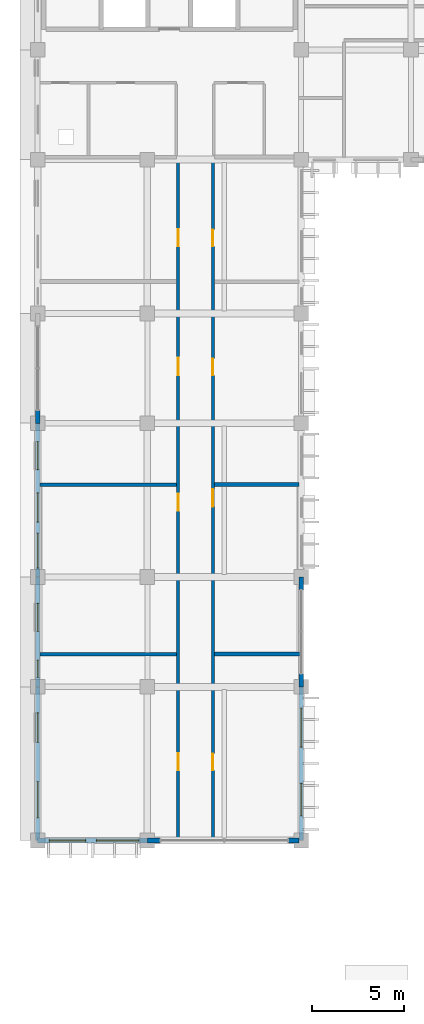
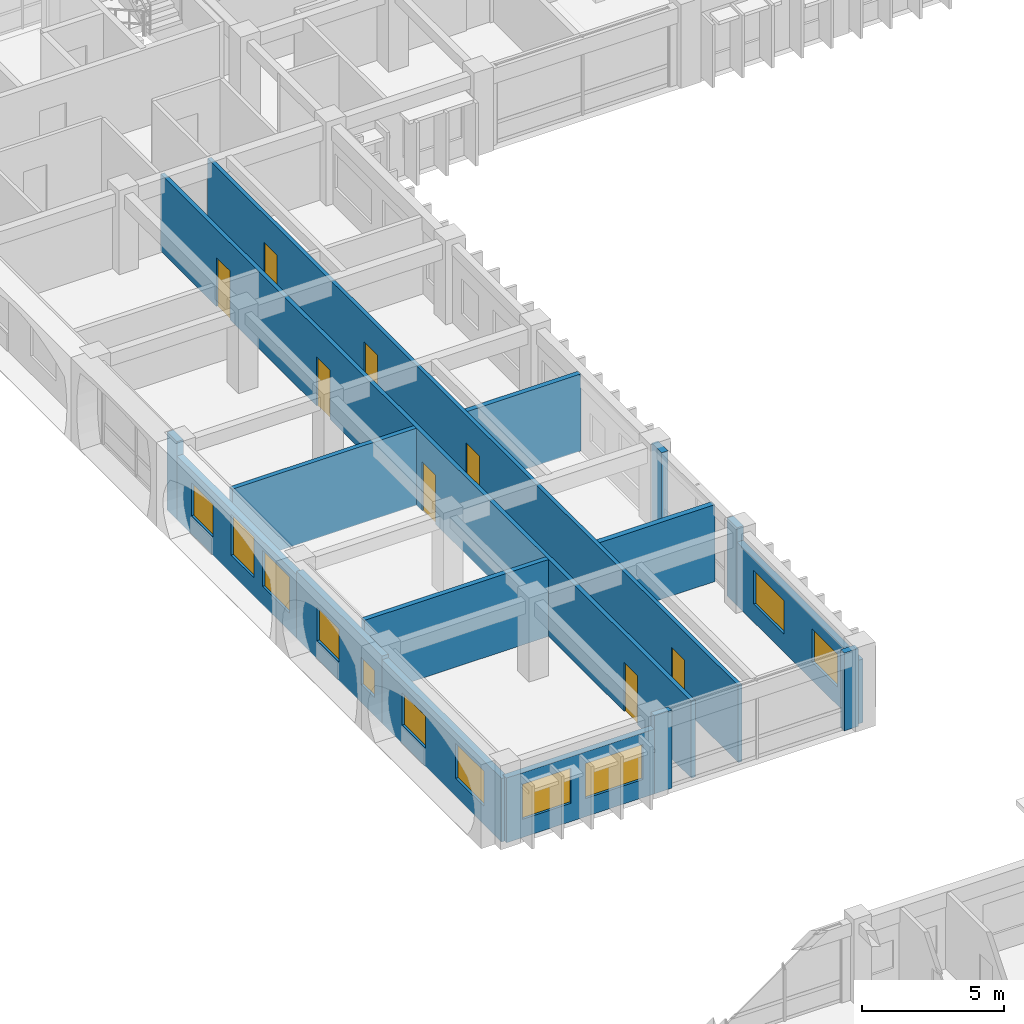
# One storey, part 54 of 88: 16 walls, 11 windows, 8 doors, 19 openings.
"""IFC4 building model written with IfcOpenShell, lengths in metres."""

import ifcopenshell
import ifcopenshell.guid

model = None  # the IFC model being written
_history = None  # IfcOwnerHistory: only IFC2X3 demands one
_inside = {}  # id of a spatial element -> (the spatial element, [elements in it])
_under = {}  # id of a project, library or spatial element -> (it, [spatial elements below it])
_declared = {}  # id of a project -> (the project, [libraries it declares])
_typed = {}  # id of a type object -> (the type object, [elements of that type])
_made_of = {}  # id of a material, layer set ... -> (it, [elements and type objects made of it])


def new_model(schema):
    """Start an empty IFC model of exactly this schema.

    Asked for "IFC4X3", IfcOpenShell would pick the latest addendum, in which some entities
    have other attributes; the version numbers below select the first issue.
    IFC2X3 requires an IfcOwnerHistory on every rooted entity: one is made here for all.
    """
    global model, _history
    if schema == "IFC4X3":
        model = ifcopenshell.file(schema_version=(4, 3, 0, 0))
    else:
        model = ifcopenshell.file(schema=schema)
    _inside.clear()
    _under.clear()
    _declared.clear()
    _typed.clear()
    _made_of.clear()
    _history = None
    if model.schema == "IFC2X3":
        org = make("IfcOrganization", Name="unknown")
        user = make(
            "IfcPersonAndOrganization",
            ThePerson=make("IfcPerson", FamilyName="unknown"),
            TheOrganization=org,
        )
        app = make(
            "IfcApplication",
            ApplicationDeveloper=org,
            Version="unknown",
            ApplicationFullName="unknown",
            ApplicationIdentifier="unknown",
        )
        _history = make(
            "IfcOwnerHistory",
            OwningUser=user,
            OwningApplication=app,
            ChangeAction="ADDED",
            CreationDate=0,
        )
    return model


def make(cls, **values):
    """One entity of the class cls with the attributes given. An attribute that is None is left unset."""
    return model.create_entity(
        cls, **{name: value for name, value in values.items() if value is not None}
    )


def rooted(cls, **values):
    """An entity with a GlobalId (a new one), such as an element, a storey or a relation."""
    return make(cls, GlobalId=ifcopenshell.guid.new(), OwnerHistory=_history, **values)


def si_unit(unit_type, name, prefix=None):
    """IfcSIUnit, for example si_unit("LENGTHUNIT", "METRE", prefix="MILLI")."""
    return make("IfcSIUnit", UnitType=unit_type, Prefix=prefix, Name=name)


def assignment(units):
    """IfcUnitAssignment: the units of a project."""
    return None if units is None else make("IfcUnitAssignment", Units=units)


def point(xyz):
    """IfcCartesianPoint."""
    return None if xyz is None else make("IfcCartesianPoint", Coordinates=xyz)


def direction(xyz):
    """IfcDirection."""
    return None if xyz is None else make("IfcDirection", DirectionRatios=xyz)


def frame(location, z_axis=None, x_axis=None):
    """IfcAxis2Placement3D, a coordinate frame: its origin and axes. An axis left out is left unset."""
    return make(
        "IfcAxis2Placement3D",
        Location=point(location),
        Axis=direction(z_axis),
        RefDirection=direction(x_axis),
    )


def frame_2d(location, x_axis=None):
    """IfcAxis2Placement2D, a coordinate frame in the plane: its origin and x axis."""
    return make(
        "IfcAxis2Placement2D", Location=point(location), RefDirection=direction(x_axis)
    )


def origin():
    """The frame at (0, 0, 0) with its axes left unset."""
    return frame((0.0, 0.0, 0.0))


def place(relative_to, where):
    """IfcLocalPlacement: puts the frame where relative to a parent placement (None: the world)."""
    return make(
        "IfcLocalPlacement", PlacementRelTo=relative_to, RelativePlacement=where
    )


def context(
    kind, dimensions, precision=None, world=None, true_north=None, identifier=None
):
    """IfcGeometricRepresentationContext, for example the 3D "Model" context."""
    return make(
        "IfcGeometricRepresentationContext",
        ContextIdentifier=identifier,
        ContextType=kind,
        CoordinateSpaceDimension=dimensions,
        Precision=precision,
        WorldCoordinateSystem=world,
        TrueNorth=true_north,
    )


def subcontext(parent, identifier, kind, view, scale=None):
    """IfcGeometricRepresentationSubContext, for example "Body" below "Model"."""
    return make(
        "IfcGeometricRepresentationSubContext",
        ContextIdentifier=identifier,
        ContextType=kind,
        ParentContext=parent,
        TargetScale=scale,
        TargetView=view,
    )


def project(units=None, contexts=None):
    """IfcProject with its units and contexts."""
    return rooted(
        "IfcProject",
        Name="project",
        RepresentationContexts=contexts,
        UnitsInContext=assignment(units),
    )


def spatial(cls, under=None, at=None, **own):
    """A site, building, storey or space (cls), placed at a placement, below another one or the project."""
    s = rooted(cls, ObjectPlacement=at, **own)
    if under is not None:
        _under.setdefault(under.id(), (under, []))[1].append(s)
    return s


def profile(cls, at=None, kind="AREA", **sizes):
    """A parametric profile (cls). Its sizes go by their IFC names, for example OverallWidth=200.0."""
    return make(cls, ProfileType=kind, Position=at, **sizes)


def rectangle(**sizes):
    """IfcRectangleProfileDef."""
    return profile("IfcRectangleProfileDef", **sizes)


def extrude(swept, where, along, depth):
    """IfcExtrudedAreaSolid: the profile swept, set in the frame where, extruded along a direction by depth."""
    return make(
        "IfcExtrudedAreaSolid",
        SweptArea=swept,
        Position=where,
        ExtrudedDirection=direction(along),
        Depth=depth,
    )


def shape(context_of_items, identifier, shape_type, items):
    """IfcShapeRepresentation: the items that make up one representation, for example the "Body"."""
    return make(
        "IfcShapeRepresentation",
        ContextOfItems=context_of_items,
        RepresentationIdentifier=identifier,
        RepresentationType=shape_type,
        Items=items,
    )


def material(Name=None, Category=None):
    """IfcMaterial."""
    return make("IfcMaterial", Name=Name, Category=Category)


def layer(
    of_material, thickness, ventilated=None, Name=None, Category=None, Priority=None
):
    """IfcMaterialLayer: one layer of a wall or slab, of a material (None: an air gap)."""
    return make(
        "IfcMaterialLayer",
        Material=of_material,
        LayerThickness=thickness,
        IsVentilated=ventilated,
        Name=Name,
        Category=Category,
        Priority=Priority,
    )


def layer_set(layers, Name=None):
    """IfcMaterialLayerSet."""
    return make("IfcMaterialLayerSet", MaterialLayers=layers, LayerSetName=Name)


def made_of(thing, what):
    """Note that an element or type object is made of a material, layer set ...; save() writes the relation."""
    if what is not None:
        _made_of.setdefault(what.id(), (what, []))[1].append(thing)
    return thing


def type_object(cls, material=None, **own):
    """A type object (cls), such as IfcWallType, which elements share."""
    return made_of(rooted(cls, **own), material)


def element(
    cls,
    number,
    at=None,
    inside=None,
    cuts=None,
    type_object=None,
    material=None,
    context=None,
    identifier="Body",
    shape_type=None,
    held_by="IfcProductDefinitionShape",
    body=None,
    shapes=None,
    **own,
):
    """One element of the class cls, such as IfcWall. Its Tag is "e" and its number.

    at: its placement. inside: the storey or other place that contains it. cuts: it is an
    opening in that element (IfcRelVoidsElement). A single representation is given by context,
    identifier, shape_type and body (its items); several are given by shapes. held_by: the class
    of the entity that holds the representations. save() writes the other relations.
    """
    e = rooted(cls, Tag="e%d" % number, ObjectPlacement=at, **own)
    if body is not None:
        shapes = [shape(context, identifier, shape_type, body)]
    if shapes is not None:
        e.Representation = make(held_by, Representations=shapes)
    if inside is not None:
        _inside.setdefault(inside.id(), (inside, []))[1].append(e)
    if cuts is not None:
        rooted(
            "IfcRelVoidsElement", RelatingBuildingElement=cuts, RelatedOpeningElement=e
        )
    if type_object is not None:
        _typed.setdefault(type_object.id(), (type_object, []))[1].append(e)
    return made_of(e, material)


def fill(opening, filler):
    """IfcRelFillsElement: the door or window that sits in an opening."""
    return rooted(
        "IfcRelFillsElement",
        RelatingOpeningElement=opening,
        RelatedBuildingElement=filler,
    )


def aggregate(whole, parts):
    """IfcRelAggregates: a whole, such as a stair, and the parts it consists of."""
    return rooted("IfcRelAggregates", RelatingObject=whole, RelatedObjects=parts)


def save(model, path):
    """Write the relations noted so far, then the file.

    IfcRelAggregates (storeys below a building ...), IfcRelContainedInSpatialStructure (elements
    in a storey), IfcRelDefinesByType, IfcRelAssociatesMaterial and IfcRelDeclares: one each for
    every whole, place, type object, material and project.
    """
    for whole, parts in _under.values():
        aggregate(whole, parts)
    for where, things in _inside.values():
        rooted(
            "IfcRelContainedInSpatialStructure",
            RelatedElements=things,
            RelatingStructure=where,
        )
    for kind, things in _typed.values():
        rooted("IfcRelDefinesByType", RelatedObjects=things, RelatingType=kind)
    for what, things in _made_of.values():
        rooted("IfcRelAssociatesMaterial", RelatedObjects=things, RelatingMaterial=what)
    for by, libraries in _declared.values():
        rooted("IfcRelDeclares", RelatingContext=by, RelatedDefinitions=libraries)
    model.write(path)


model = new_model("IFC4")

# Units and contexts
model_context = context("Model", 3, precision=1e-05, world=origin(), true_north=direction((0.0, 1.0)))
body_context = subcontext(model_context, "Body", "Model", "MODEL_VIEW")
ifc_project = project(units=[si_unit("LENGTHUNIT", "METRE"), si_unit("AREAUNIT", "SQUARE_METRE"), si_unit("VOLUMEUNIT", "CUBIC_METRE"), si_unit("PLANEANGLEUNIT", "RADIAN"), si_unit("MASSUNIT", "GRAM", prefix="KILO"), si_unit("THERMODYNAMICTEMPERATUREUNIT", "KELVIN")], contexts=[model_context])

# Site, building, storey
site_placement = place(None, origin())
site = spatial("IfcSite", under=ifc_project, at=site_placement, CompositionType="ELEMENT")
building_placement = place(site_placement, origin())
building = spatial("IfcBuilding", under=site, at=building_placement, Name="Thalorik Housing Commons", CompositionType="ELEMENT")
storey_placement = place(building_placement, frame((0.0, 0.0, 4.5)))
storey = spatial("IfcBuildingStorey", under=building, at=storey_placement, Name="L01", CompositionType="ELEMENT", Elevation=4.5)

# Wall, openings, doors
ifc_material_1 = material(Name="Masonry fire-rated corridor wall", Category="masonry")
ifc_layer_1 = layer(ifc_material_1, 0.14990234375, Name="Masonry fire-rated corridor wall", Category="masonry")
ifc_layer_set_1 = layer_set([ifc_layer_1], Name="Masonry fire-rated corridor wall")
wall_type_1 = type_object("IfcWallType", Name="ARC-WAL-CORR-150", PredefinedType="PARTITIONING", material=ifc_layer_set_1)
wall_1_placement = place(storey_placement, frame((17.97998046875, 72.06005859375, 0.0), z_axis=(0.0, 0.0, 1.0), x_axis=(0.0, 1.0, 0.0)))
wall_1 = element("IfcWall", 1, at=wall_1_placement, inside=storey, type_object=wall_type_1, Name="L01 Block A W Corridor Wall 2", PredefinedType="PARTITIONING", context=body_context, shape_type="SweptSolid", body=[
    extrude(rectangle(XDim=37.280029296875, YDim=0.14990234375, at=frame_2d((18.64013671875, 0.0))), origin(), (0.0, 0.0, 1.0), 3.300048828125),
])
opening_1_placement = place(wall_1_placement, frame((3.76806640625, 0.0, 0.0)))
opening_1 = element("IfcOpeningElement", 2, at=opening_1_placement, cuts=wall_1, Name="Opening ID-0449", PredefinedType="OPENING", context=body_context, shape_type="SweptSolid", body=[
    extrude(rectangle(XDim=0.919921875, YDim=2.10009765625, at=frame_2d((0.4599609375, 1.050048828125))), frame((0.0, 0.0849609375, 0.0), z_axis=(0.0, -1.0, 0.0), x_axis=(1.0, 0.0, 0.0)), (0.0, 0.0, 1.0), 0.169921875),
])
opening_2_placement = place(wall_1_placement, frame((18.179931640625, 0.0, 0.0)))
opening_2 = element("IfcOpeningElement", 3, at=opening_2_placement, cuts=wall_1, Name="Opening ID-0450", PredefinedType="OPENING", context=body_context, shape_type="SweptSolid", body=[
    extrude(rectangle(XDim=0.9599609375, YDim=2.1201171875, at=frame_2d((0.47998046875, 1.06005859375))), frame((0.0, 0.0849609375, 0.0), z_axis=(0.0, -1.0, 0.0), x_axis=(1.0, 0.0, 0.0)), (0.0, 0.0, 1.0), 0.169921875),
])
opening_3_placement = place(wall_1_placement, frame((25.35791015625, 0.0, 0.0)))
opening_3 = element("IfcOpeningElement", 4, at=opening_3_placement, cuts=wall_1, Name="Opening ID-0451", PredefinedType="OPENING", context=body_context, shape_type="SweptSolid", body=[
    extrude(rectangle(XDim=0.919921875, YDim=2.10009765625, at=frame_2d((0.4599609375, 1.050048828125))), frame((0.0, 0.0849609375, 0.0), z_axis=(0.0, -1.0, 0.0), x_axis=(1.0, 0.0, 0.0)), (0.0, 0.0, 1.0), 0.169921875),
])
opening_4_placement = place(wall_1_placement, frame((32.398681640625, 0.0, 0.0)))
opening_4 = element("IfcOpeningElement", 5, at=opening_4_placement, cuts=wall_1, Name="Opening ID-0452", PredefinedType="OPENING", context=body_context, shape_type="SweptSolid", body=[
    extrude(rectangle(XDim=0.919921875, YDim=2.10009765625, at=frame_2d((0.4599609375, 1.050048828125))), frame((0.0, 0.0849609375, 0.0), z_axis=(0.0, -1.0, 0.0), x_axis=(1.0, 0.0, 0.0)), (0.0, 0.0, 1.0), 0.169921875),
])
ifc_material_2 = material(Name="Solid core hardwood timber", Category="wood")
door_type_1 = type_object("IfcDoorType", Name="ARC-DR-FD30-920", OperationType="NOTDEFINED", PredefinedType="DOOR", material=ifc_material_2)
door_1_placement = place(opening_1_placement, origin())
door_1 = element("IfcDoor", 6, at=door_1_placement, inside=storey, type_object=door_type_1, Name="L01 Music and Craft Practice Room Door", OperationType="SINGLE_SWING_RIGHT", OverallHeight=2.10009765625, OverallWidth=0.919921875, PredefinedType="DOOR", context=body_context, shape_type="SweptSolid", body=[
    extrude(rectangle(XDim=0.919921875, YDim=2.10009765625, at=frame_2d((0.4599609375, 1.050048828125))), frame((0.0, 0.02490234375, 0.0), z_axis=(0.0, -1.0, 0.0), x_axis=(1.0, 0.0, 0.0)), (0.0, 0.0, 1.0), 0.050048828125),
])
fill(opening_1, door_1)
door_2_placement = place(opening_3_placement, origin())
door_2 = element("IfcDoor", 7, at=door_2_placement, inside=storey, type_object=door_type_1, Name="L01 Residents Health and Quiet Room Door", OperationType="SINGLE_SWING_RIGHT", OverallHeight=2.10009765625, OverallWidth=0.919921875, PredefinedType="DOOR", context=body_context, shape_type="SweptSolid", body=[
    extrude(rectangle(XDim=0.919921875, YDim=2.10009765625, at=frame_2d((0.4599609375, 1.050048828125))), frame((0.0, 0.02490234375, 0.0), z_axis=(0.0, -1.0, 0.0), x_axis=(1.0, 0.0, 0.0)), (0.0, 0.0, 1.0), 0.050048828125),
])
fill(opening_3, door_2)
door_3_placement = place(opening_4_placement, origin())
door_3 = element("IfcDoor", 8, at=door_3_placement, inside=storey, type_object=door_type_1, Name="L01 Residents Study Room Door", OperationType="SINGLE_SWING_LEFT", OverallHeight=2.10009765625, OverallWidth=0.919921875, PredefinedType="DOOR", context=body_context, shape_type="SweptSolid", body=[
    extrude(rectangle(XDim=0.919921875, YDim=2.10009765625, at=frame_2d((0.4599609375, 1.050048828125))), frame((0.0, 0.02490234375, 0.0), z_axis=(0.0, -1.0, 0.0), x_axis=(1.0, 0.0, 0.0)), (0.0, 0.0, 1.0), 0.050048828125),
])
fill(opening_4, door_3)
door_type_2 = type_object("IfcDoorType", Name="ARC-DR-FD30-960", OperationType="NOTDEFINED", PredefinedType="DOOR", material=ifc_material_2)
door_4_placement = place(opening_2_placement, origin())
door_4 = element("IfcDoor", 9, at=door_4_placement, inside=storey, type_object=door_type_2, Name="L01 Ceramics and Print Workshop Door", OperationType="SINGLE_SWING_LEFT", OverallHeight=2.1201171875, OverallWidth=0.9599609375, PredefinedType="DOOR", context=body_context, shape_type="SweptSolid", body=[
    extrude(rectangle(XDim=0.9599609375, YDim=2.1201171875, at=frame_2d((0.47998046875, 1.06005859375))), frame((0.0, 0.02490234375, 0.0), z_axis=(0.0, -1.0, 0.0), x_axis=(1.0, 0.0, 0.0)), (0.0, 0.0, 1.0), 0.050048828125),
])
fill(opening_2, door_4)

ifc_layer_2 = layer(ifc_material_1, 0.1650390625, Name="Masonry fire-rated corridor wall", Category="masonry")
ifc_layer_set_2 = layer_set([ifc_layer_2], Name="Masonry fire-rated corridor wall")
wall_type_2 = type_object("IfcWallType", Name="ARC-WAL-CORR-165", PredefinedType="PARTITIONING", material=ifc_layer_set_2)
wall_2_placement = place(storey_placement, frame((16.080078125, 72.06005859375, 0.0), z_axis=(0.0, 0.0, 1.0), x_axis=(0.0, 1.0, 0.0)))
wall_2 = element("IfcWall", 10, at=wall_2_placement, inside=storey, type_object=wall_type_2, Name="L01 Block A W Corridor Wall 1", PredefinedType="PARTITIONING", context=body_context, shape_type="SweptSolid", body=[
    extrude(rectangle(XDim=37.280029296875, YDim=0.1650390625, at=frame_2d((18.64013671875, 0.0))), origin(), (0.0, 0.0, 1.0), 3.300048828125),
])
opening_5_placement = place(wall_2_placement, frame((3.772216796875, 0.0, 0.0)))
opening_5 = element("IfcOpeningElement", 11, at=opening_5_placement, cuts=wall_2, Name="Opening ID-0445", PredefinedType="OPENING", context=body_context, shape_type="SweptSolid", body=[
    extrude(rectangle(XDim=0.949951171875, YDim=2.10009765625, at=frame_2d((0.47509765625, 1.050048828125))), frame((0.0, 0.092529296875, 0.0), z_axis=(0.0, -1.0, 0.0), x_axis=(1.0, 0.0, 0.0)), (0.0, 0.0, 1.0), 0.18505859375),
])
opening_6_placement = place(wall_2_placement, frame((17.945556640625, 0.0, 0.0)))
opening_6 = element("IfcOpeningElement", 12, at=opening_6_placement, cuts=wall_2, Name="Opening ID-0446", PredefinedType="OPENING", context=body_context, shape_type="SweptSolid", body=[
    extrude(rectangle(XDim=0.949951171875, YDim=2.10009765625, at=frame_2d((0.47509765625, 1.050048828125))), frame((0.0, 0.092529296875, 0.0), z_axis=(0.0, -1.0, 0.0), x_axis=(1.0, 0.0, 0.0)), (0.0, 0.0, 1.0), 0.18505859375),
])
opening_7_placement = place(wall_2_placement, frame((25.36376953125, 0.0, 0.0)))
opening_7 = element("IfcOpeningElement", 13, at=opening_7_placement, cuts=wall_2, Name="Opening ID-0447", PredefinedType="OPENING", context=body_context, shape_type="SweptSolid", body=[
    extrude(rectangle(XDim=0.949951171875, YDim=2.10009765625, at=frame_2d((0.47509765625, 1.050048828125))), frame((0.0, 0.092529296875, 0.0), z_axis=(0.0, -1.0, 0.0), x_axis=(1.0, 0.0, 0.0)), (0.0, 0.0, 1.0), 0.18505859375),
])
opening_8_placement = place(wall_2_placement, frame((32.40185546875, 0.0, 0.0)))
opening_8 = element("IfcOpeningElement", 14, at=opening_8_placement, cuts=wall_2, Name="Opening ID-0448", PredefinedType="OPENING", context=body_context, shape_type="SweptSolid", body=[
    extrude(rectangle(XDim=0.949951171875, YDim=2.10009765625, at=frame_2d((0.47509765625, 1.050048828125))), frame((0.0, 0.092529296875, 0.0), z_axis=(0.0, -1.0, 0.0), x_axis=(1.0, 0.0, 0.0)), (0.0, 0.0, 1.0), 0.18505859375),
])
ifc_material_3 = material(Name="Steel S355", Category="steel")
door_type_3 = type_object("IfcDoorType", Name="ARC-DR-FD60-950", OperationType="NOTDEFINED", PredefinedType="DOOR", material=ifc_material_3)
door_5_placement = place(opening_5_placement, origin())
door_5 = element("IfcDoor", 15, at=door_5_placement, inside=storey, type_object=door_type_3, Name="L01 Community Study Hall Entrance Door", OperationType="SINGLE_SWING_RIGHT", OverallHeight=2.10009765625, OverallWidth=0.949951171875, PredefinedType="DOOR", context=body_context, shape_type="SweptSolid", body=[
    extrude(rectangle(XDim=0.949951171875, YDim=2.10009765625, at=frame_2d((0.47509765625, 1.050048828125))), frame((0.0, 0.02490234375, 0.0), z_axis=(0.0, -1.0, 0.0), x_axis=(1.0, 0.0, 0.0)), (0.0, 0.0, 1.0), 0.050048828125),
])
fill(opening_5, door_5)
door_6_placement = place(opening_6_placement, origin())
door_6 = element("IfcDoor", 16, at=door_6_placement, inside=storey, type_object=door_type_3, Name="L01 Shared Sewing Workshop Entrance Door", OperationType="SINGLE_SWING_LEFT", OverallHeight=2.10009765625, OverallWidth=0.949951171875, PredefinedType="DOOR", context=body_context, shape_type="SweptSolid", body=[
    extrude(rectangle(XDim=0.949951171875, YDim=2.10009765625, at=frame_2d((0.47509765625, 1.050048828125))), frame((0.0, 0.02490234375, 0.0), z_axis=(0.0, -1.0, 0.0), x_axis=(1.0, 0.0, 0.0)), (0.0, 0.0, 1.0), 0.050048828125),
])
fill(opening_6, door_6)
door_7_placement = place(opening_7_placement, origin())
door_7 = element("IfcDoor", 17, at=door_7_placement, inside=storey, type_object=door_type_3, Name="L01 Digital Media Room Entrance Door", OperationType="SINGLE_SWING_RIGHT", OverallHeight=2.10009765625, OverallWidth=0.949951171875, PredefinedType="DOOR", context=body_context, shape_type="SweptSolid", body=[
    extrude(rectangle(XDim=0.949951171875, YDim=2.10009765625, at=frame_2d((0.47509765625, 1.050048828125))), frame((0.0, 0.02490234375, 0.0), z_axis=(0.0, -1.0, 0.0), x_axis=(1.0, 0.0, 0.0)), (0.0, 0.0, 1.0), 0.050048828125),
])
fill(opening_7, door_7)
door_8_placement = place(opening_8_placement, origin())
door_8 = element("IfcDoor", 18, at=door_8_placement, inside=storey, type_object=door_type_3, Name="L01 Youth Reading Room Entrance Door", OperationType="SINGLE_SWING_LEFT", OverallHeight=2.10009765625, OverallWidth=0.949951171875, PredefinedType="DOOR", context=body_context, shape_type="SweptSolid", body=[
    extrude(rectangle(XDim=0.949951171875, YDim=2.10009765625, at=frame_2d((0.47509765625, 1.050048828125))), frame((0.0, 0.02490234375, 0.0), z_axis=(0.0, -1.0, 0.0), x_axis=(1.0, 0.0, 0.0)), (0.0, 0.0, 1.0), 0.050048828125),
])
fill(opening_8, door_8)

# Wall
ifc_material_4 = material(Name="White precast concrete C40/50", Category="concrete")
ifc_layer_3 = layer(ifc_material_4, 0.2548828125, Name="White precast concrete C40/50", Category="concrete")
ifc_layer_set_3 = layer_set([ifc_layer_3], Name="White precast concrete C40/50")
wall_type_3 = type_object("IfcWallType", Name="ARC-WAL-EXT-255", PredefinedType="STANDARD", material=ifc_layer_set_3)
wall_3_placement = place(storey_placement, frame((8.39990234375, 95.5, 0.0), z_axis=(0.0, 0.0, 1.0), x_axis=(0.0, -1.0, 0.0)))
element("IfcWall", 19, at=wall_3_placement, inside=storey, type_object=wall_type_3, Name="L01 Exterior Wall WAL-PIERR-L01-A-0046", PredefinedType="STANDARD", context=body_context, shape_type="SweptSolid", body=[
    extrude(rectangle(XDim=0.699951171875, YDim=0.2548828125, at=frame_2d((0.35009765625, 0.0))), origin(), (0.0, 0.0, 1.0), 3.340087890625),
])

# Wall, openings, windows
wall_4_placement = place(storey_placement, frame((8.39990234375, 94.800048828125, 0.0), z_axis=(0.0, 0.0, 1.0), x_axis=(0.0, -1.0, 0.0)))
wall_4 = element("IfcWall", 20, at=wall_4_placement, inside=storey, type_object=wall_type_3, Name="L01 Exterior Wall WAL-EXT-L01-A-0047", PredefinedType="STANDARD", context=body_context, shape_type="SweptSolid", body=[
    extrude(rectangle(XDim=8.400146484375, YDim=0.2548828125, at=frame_2d((4.2001953125, 0.0))), origin(), (0.0, 0.0, 1.0), 2.72509765625),
])
opening_9_placement = place(wall_4_placement, frame((1.010009765625, 0.0, 0.780029296875)))
opening_9 = element("IfcOpeningElement", 21, at=opening_9_placement, cuts=wall_4, Name="Opening W-52", PredefinedType="OPENING", context=body_context, shape_type="SweptSolid", body=[
    extrude(rectangle(XDim=1.52001953125, YDim=1.419921875, at=frame_2d((0.760009765625, 0.7099609375))), frame((0.0, 0.137451171875, 0.0), z_axis=(0.0, -1.0, 0.0), x_axis=(1.0, 0.0, 0.0)), (0.0, 0.0, 1.0), 0.27490234375),
])
opening_10_placement = place(wall_4_placement, frame((3.800048828125, 0.0, 0.780029296875)))
opening_10 = element("IfcOpeningElement", 22, at=opening_10_placement, cuts=wall_4, Name="Opening W-14", PredefinedType="OPENING", context=body_context, shape_type="SweptSolid", body=[
    extrude(rectangle(XDim=1.60009765625, YDim=1.75, at=frame_2d((0.800048828125, 0.875))), frame((0.0, 0.137451171875, 0.0), z_axis=(0.0, -1.0, 0.0), x_axis=(1.0, 0.0, 0.0)), (0.0, 0.0, 1.0), 0.27490234375),
])
opening_11_placement = place(wall_4_placement, frame((6.010009765625, 0.0, 0.780029296875)))
opening_11 = element("IfcOpeningElement", 23, at=opening_11_placement, cuts=wall_4, Name="Opening W-21", PredefinedType="OPENING", context=body_context, shape_type="SweptSolid", body=[
    extrude(rectangle(XDim=1.89990234375, YDim=1.550048828125, at=frame_2d((0.949951171875, 0.77490234375))), frame((0.0, 0.137451171875, 0.0), z_axis=(0.0, -1.0, 0.0), x_axis=(1.0, 0.0, 0.0)), (0.0, 0.0, 1.0), 0.27490234375),
])
ifc_material_5 = material(Name="Anodised aluminium and solar-control low-E glass", Category="aluminium")
window_type_1 = type_object("IfcWindowType", Name="ARC-WIN-14", PartitioningType="DOUBLE_PANEL_VERTICAL", PredefinedType="WINDOW", material=ifc_material_5)
window_1_placement = place(opening_10_placement, origin())
window_1 = element("IfcWindow", 24, at=window_1_placement, inside=storey, type_object=window_type_1, Name="L01 Facade Window 77", OverallHeight=1.75, OverallWidth=1.60009765625, PartitioningType="DOUBLE_PANEL_VERTICAL", PredefinedType="WINDOW", context=body_context, shape_type="SweptSolid", body=[
    extrude(rectangle(XDim=1.60009765625, YDim=1.75, at=frame_2d((0.800048828125, 0.875))), frame((0.0, 0.030029296875, 0.0), z_axis=(0.0, -1.0, 0.0), x_axis=(1.0, 0.0, 0.0)), (0.0, 0.0, 1.0), 0.06005859375),
])
fill(opening_10, window_1)
window_type_2 = type_object("IfcWindowType", Name="ARC-WIN-21", PartitioningType="DOUBLE_PANEL_VERTICAL", PredefinedType="WINDOW", material=ifc_material_5)
window_2_placement = place(opening_11_placement, origin())
window_2 = element("IfcWindow", 25, at=window_2_placement, inside=storey, type_object=window_type_2, Name="L01 Facade Window 78", OverallHeight=1.550048828125, OverallWidth=1.89990234375, PartitioningType="DOUBLE_PANEL_VERTICAL", PredefinedType="WINDOW", context=body_context, shape_type="SweptSolid", body=[
    extrude(rectangle(XDim=1.89990234375, YDim=1.550048828125, at=frame_2d((0.949951171875, 0.77490234375))), frame((0.0, 0.030029296875, 0.0), z_axis=(0.0, -1.0, 0.0), x_axis=(1.0, 0.0, 0.0)), (0.0, 0.0, 1.0), 0.06005859375),
])
fill(opening_11, window_2)
window_type_3 = type_object("IfcWindowType", Name="ARC-WIN-52", PartitioningType="SINGLE_PANEL", PredefinedType="WINDOW", material=ifc_material_5)
window_3_placement = place(opening_9_placement, origin())
window_3 = element("IfcWindow", 26, at=window_3_placement, inside=storey, type_object=window_type_3, Name="L01 Facade Window 76", OverallHeight=1.419921875, OverallWidth=1.52001953125, PartitioningType="SINGLE_PANEL", PredefinedType="WINDOW", context=body_context, shape_type="SweptSolid", body=[
    extrude(rectangle(XDim=1.52001953125, YDim=1.419921875, at=frame_2d((0.760009765625, 0.7099609375))), frame((0.0, 0.030029296875, 0.0), z_axis=(0.0, -1.0, 0.0), x_axis=(1.0, 0.0, 0.0)), (0.0, 0.0, 1.0), 0.06005859375),
])
fill(opening_9, window_3)

wall_5_placement = place(storey_placement, frame((8.39990234375, 86.39990234375, 0.0), z_axis=(0.0, 0.0, 1.0), x_axis=(0.0, -1.0, 0.0)))
wall_5 = element("IfcWall", 27, at=wall_5_placement, inside=storey, type_object=wall_type_3, Name="L01 Exterior Wall WAL-EXT-L01-A-0048", PredefinedType="STANDARD", context=body_context, shape_type="SweptSolid", body=[
    extrude(rectangle(XDim=6.0, YDim=0.2548828125, at=frame_2d((3.0, 0.0))), origin(), (0.0, 0.0, 1.0), 2.875),
])
opening_12_placement = place(wall_5_placement, frame((1.445068359375, 0.0, 0.780029296875)))
opening_12 = element("IfcOpeningElement", 28, at=opening_12_placement, cuts=wall_5, Name="Opening W-52", PredefinedType="OPENING", context=body_context, shape_type="SweptSolid", body=[
    extrude(rectangle(XDim=1.52001953125, YDim=1.419921875, at=frame_2d((0.760009765625, 0.7099609375))), frame((0.0, 0.137451171875, 0.0), z_axis=(0.0, -1.0, 0.0), x_axis=(1.0, 0.0, 0.0)), (0.0, 0.0, 1.0), 0.27490234375),
])
opening_13_placement = place(wall_5_placement, frame((4.5400390625, 0.0, 0.780029296875)))
opening_13 = element("IfcOpeningElement", 29, at=opening_13_placement, cuts=wall_5, Name="Opening W-43", PredefinedType="OPENING", context=body_context, shape_type="SweptSolid", body=[
    extrude(rectangle(XDim=0.949951171875, YDim=1.14990234375, at=frame_2d((0.47509765625, 0.574951171875))), frame((0.0, 0.137451171875, 0.0), z_axis=(0.0, -1.0, 0.0), x_axis=(1.0, 0.0, 0.0)), (0.0, 0.0, 1.0), 0.27490234375),
])
window_type_4 = type_object("IfcWindowType", Name="ARC-WIN-43", PartitioningType="SINGLE_PANEL", PredefinedType="WINDOW", material=ifc_material_5)
window_4_placement = place(opening_13_placement, origin())
window_4 = element("IfcWindow", 30, at=window_4_placement, inside=storey, type_object=window_type_4, Name="L01 Facade Window 80", OverallHeight=1.14990234375, OverallWidth=0.949951171875, PartitioningType="SINGLE_PANEL", PredefinedType="WINDOW", context=body_context, shape_type="SweptSolid", body=[
    extrude(rectangle(XDim=0.949951171875, YDim=1.14990234375, at=frame_2d((0.47509765625, 0.574951171875))), frame((0.0, 0.030029296875, 0.0), z_axis=(0.0, -1.0, 0.0), x_axis=(1.0, 0.0, 0.0)), (0.0, 0.0, 1.0), 0.06005859375),
])
fill(opening_13, window_4)
window_5_placement = place(opening_12_placement, origin())
window_5 = element("IfcWindow", 31, at=window_5_placement, inside=storey, type_object=window_type_3, Name="L01 Facade Window 79", OverallHeight=1.419921875, OverallWidth=1.52001953125, PartitioningType="SINGLE_PANEL", PredefinedType="WINDOW", context=body_context, shape_type="SweptSolid", body=[
    extrude(rectangle(XDim=1.52001953125, YDim=1.419921875, at=frame_2d((0.760009765625, 0.7099609375))), frame((0.0, 0.030029296875, 0.0), z_axis=(0.0, -1.0, 0.0), x_axis=(1.0, 0.0, 0.0)), (0.0, 0.0, 1.0), 0.06005859375),
])
fill(opening_12, window_5)

wall_6_placement = place(storey_placement, frame((8.39990234375, 80.39990234375, 0.0), z_axis=(0.0, 0.0, 1.0), x_axis=(0.0, -1.0, 0.0)))
wall_6 = element("IfcWall", 32, at=wall_6_placement, inside=storey, type_object=wall_type_3, Name="L01 Exterior Wall WAL-EXT-L01-A-0049", PredefinedType="STANDARD", context=body_context, shape_type="SweptSolid", body=[
    extrude(rectangle(XDim=8.39990234375, YDim=0.2548828125, at=frame_2d((4.199951171875, 0.0))), origin(), (0.0, 0.0, 1.0), 2.72509765625),
])
opening_14_placement = place(wall_6_placement, frame((1.419921875, 0.0, 0.780029296875)))
opening_14 = element("IfcOpeningElement", 33, at=opening_14_placement, cuts=wall_6, Name="Opening W-54", PredefinedType="OPENING", context=body_context, shape_type="SweptSolid", body=[
    extrude(rectangle(XDim=1.6201171875, YDim=1.3798828125, at=frame_2d((0.81005859375, 0.68994140625))), frame((0.0, 0.137451171875, 0.0), z_axis=(0.0, -1.0, 0.0), x_axis=(1.0, 0.0, 0.0)), (0.0, 0.0, 1.0), 0.27490234375),
])
opening_15_placement = place(wall_6_placement, frame((5.179931640625, 0.0, 0.780029296875)))
opening_15 = element("IfcOpeningElement", 34, at=opening_15_placement, cuts=wall_6, Name="Opening W-61", PredefinedType="OPENING", context=body_context, shape_type="SweptSolid", body=[
    extrude(rectangle(XDim=1.97998046875, YDim=1.5, at=frame_2d((0.989990234375, 0.75))), frame((0.0, 0.137451171875, 0.0), z_axis=(0.0, -1.0, 0.0), x_axis=(1.0, 0.0, 0.0)), (0.0, 0.0, 1.0), 0.27490234375),
])
window_type_5 = type_object("IfcWindowType", Name="ARC-WIN-54", PartitioningType="DOUBLE_PANEL_VERTICAL", PredefinedType="WINDOW", material=ifc_material_5)
window_6_placement = place(opening_14_placement, origin())
window_6 = element("IfcWindow", 35, at=window_6_placement, inside=storey, type_object=window_type_5, Name="L01 Facade Window 81", OverallHeight=1.3798828125, OverallWidth=1.6201171875, PartitioningType="DOUBLE_PANEL_VERTICAL", PredefinedType="WINDOW", context=body_context, shape_type="SweptSolid", body=[
    extrude(rectangle(XDim=1.6201171875, YDim=1.3798828125, at=frame_2d((0.81005859375, 0.68994140625))), frame((0.0, 0.030029296875, 0.0), z_axis=(0.0, -1.0, 0.0), x_axis=(1.0, 0.0, 0.0)), (0.0, 0.0, 1.0), 0.06005859375),
])
fill(opening_14, window_6)
window_type_6 = type_object("IfcWindowType", Name="ARC-WIN-61", PartitioningType="DOUBLE_PANEL_VERTICAL", PredefinedType="WINDOW", material=ifc_material_5)
window_7_placement = place(opening_15_placement, origin())
window_7 = element("IfcWindow", 36, at=window_7_placement, inside=storey, type_object=window_type_6, Name="L01 Facade Window 82", OverallHeight=1.5, OverallWidth=1.97998046875, PartitioningType="DOUBLE_PANEL_VERTICAL", PredefinedType="WINDOW", context=body_context, shape_type="SweptSolid", body=[
    extrude(rectangle(XDim=1.97998046875, YDim=1.5, at=frame_2d((0.989990234375, 0.75))), frame((0.0, 0.030029296875, 0.0), z_axis=(0.0, -1.0, 0.0), x_axis=(1.0, 0.0, 0.0)), (0.0, 0.0, 1.0), 0.06005859375),
])
fill(opening_15, window_7)

wall_7_placement = place(storey_placement, frame((8.39990234375, 72.0, 0.0), z_axis=(0.0, 0.0, 1.0), x_axis=(1.0, 0.0, 0.0)))
wall_7 = element("IfcWall", 37, at=wall_7_placement, inside=storey, type_object=wall_type_3, Name="L01 Exterior Wall WAL-EXT-L01-A-0050", PredefinedType="STANDARD", context=body_context, shape_type="SweptSolid", body=[
    extrude(rectangle(XDim=6.0, YDim=0.2548828125, at=frame_2d((3.0, 0.0))), origin(), (0.0, 0.0, 1.0), 2.77490234375),
])
opening_16_placement = place(wall_7_placement, frame((0.639892578125, 0.0, 0.780029296875)))
opening_16 = element("IfcOpeningElement", 38, at=opening_16_placement, cuts=wall_7, Name="Opening W-61", PredefinedType="OPENING", context=body_context, shape_type="SweptSolid", body=[
    extrude(rectangle(XDim=1.97998046875, YDim=1.5, at=frame_2d((0.989990234375, 0.75))), frame((0.0, 0.137451171875, 0.0), z_axis=(0.0, -1.0, 0.0), x_axis=(1.0, 0.0, 0.0)), (0.0, 0.0, 1.0), 0.27490234375),
])
opening_17_placement = place(wall_7_placement, frame((3.2099609375, 0.0, 0.780029296875)))
opening_17 = element("IfcOpeningElement", 39, at=opening_17_placement, cuts=wall_7, Name="Opening W-68", PredefinedType="OPENING", context=body_context, shape_type="SweptSolid", body=[
    extrude(rectangle(XDim=2.320068359375, YDim=1.5, at=frame_2d((1.16015625, 0.75))), frame((0.0, 0.137451171875, 0.0), z_axis=(0.0, -1.0, 0.0), x_axis=(1.0, 0.0, 0.0)), (0.0, 0.0, 1.0), 0.27490234375),
])
window_8_placement = place(opening_16_placement, origin())
window_8 = element("IfcWindow", 40, at=window_8_placement, inside=storey, type_object=window_type_6, Name="L01 Facade Window 83", OverallHeight=1.5, OverallWidth=1.97998046875, PartitioningType="DOUBLE_PANEL_VERTICAL", PredefinedType="WINDOW", context=body_context, shape_type="SweptSolid", body=[
    extrude(rectangle(XDim=1.97998046875, YDim=1.5, at=frame_2d((0.989990234375, 0.75))), frame((0.0, 0.030029296875, 0.0), z_axis=(0.0, -1.0, 0.0), x_axis=(1.0, 0.0, 0.0)), (0.0, 0.0, 1.0), 0.06005859375),
])
fill(opening_16, window_8)
window_type_7 = type_object("IfcWindowType", Name="ARC-WIN-68", PartitioningType="DOUBLE_PANEL_VERTICAL", PredefinedType="WINDOW", material=ifc_material_5)
window_9_placement = place(opening_17_placement, origin())
window_9 = element("IfcWindow", 41, at=window_9_placement, inside=storey, type_object=window_type_7, Name="L01 Facade Window 84", OverallHeight=1.5, OverallWidth=2.320068359375, PartitioningType="DOUBLE_PANEL_VERTICAL", PredefinedType="WINDOW", context=body_context, shape_type="SweptSolid", body=[
    extrude(rectangle(XDim=2.320068359375, YDim=1.5, at=frame_2d((1.16015625, 0.75))), frame((0.0, 0.030029296875, 0.0), z_axis=(0.0, -1.0, 0.0), x_axis=(1.0, 0.0, 0.0)), (0.0, 0.0, 1.0), 0.06005859375),
])
fill(opening_17, window_9)

# Walls
wall_8_placement = place(storey_placement, frame((14.39990234375, 72.0, 0.0), z_axis=(0.0, 0.0, 1.0), x_axis=(1.0, 0.0, 0.0)))
element("IfcWall", 42, at=wall_8_placement, inside=storey, type_object=wall_type_3, Name="L01 Exterior Wall WAL-PIERL-L01-A-0051", PredefinedType="STANDARD", context=body_context, shape_type="SweptSolid", body=[
    extrude(rectangle(XDim=0.7001953125, YDim=0.2548828125, at=frame_2d((0.35009765625, 0.0))), origin(), (0.0, 0.0, 1.0), 3.340087890625),
])
wall_9_placement = place(storey_placement, frame((22.10009765625, 72.0, 0.0), z_axis=(0.0, 0.0, 1.0), x_axis=(1.0, 0.0, 0.0)))
element("IfcWall", 43, at=wall_9_placement, inside=storey, type_object=wall_type_3, Name="L01 Exterior Wall WAL-PIERR-L01-A-0051", PredefinedType="STANDARD", context=body_context, shape_type="SweptSolid", body=[
    extrude(rectangle(XDim=0.5703125, YDim=0.2548828125, at=frame_2d((0.28515625, 0.0))), origin(), (0.0, 0.0, 1.0), 3.340087890625),
])

# Wall, openings, windows
wall_10_placement = place(storey_placement, frame((22.800048828125, 72.0, 0.0), z_axis=(0.0, 0.0, 1.0), x_axis=(0.0, 1.0, 0.0)))
wall_10 = element("IfcWall", 44, at=wall_10_placement, inside=storey, type_object=wall_type_3, Name="L01 Exterior Wall WAL-EXT-L01-A-0052", PredefinedType="STANDARD", context=body_context, shape_type="SweptSolid", body=[
    extrude(rectangle(XDim=8.39990234375, YDim=0.2548828125, at=frame_2d((4.199951171875, 0.0))), origin(), (0.0, 0.0, 1.0), 2.72509765625),
])
opening_18_placement = place(wall_10_placement, frame((1.340087890625, 0.0, 0.780029296875)))
opening_18 = element("IfcOpeningElement", 45, at=opening_18_placement, cuts=wall_10, Name="Opening W-57", PredefinedType="OPENING", context=body_context, shape_type="SweptSolid", body=[
    extrude(rectangle(XDim=1.780029296875, YDim=1.419921875, at=frame_2d((0.89013671875, 0.7099609375))), frame((0.0, 0.137451171875, 0.0), z_axis=(0.0, -1.0, 0.0), x_axis=(1.0, 0.0, 0.0)), (0.0, 0.0, 1.0), 0.27490234375),
])
opening_19_placement = place(wall_10_placement, frame((5.110107421875, 0.0, 0.780029296875)))
opening_19 = element("IfcOpeningElement", 46, at=opening_19_placement, cuts=wall_10, Name="Opening W-64", PredefinedType="OPENING", context=body_context, shape_type="SweptSolid", body=[
    extrude(rectangle(XDim=2.1201171875, YDim=1.43994140625, at=frame_2d((1.06005859375, 0.719970703125))), frame((0.0, 0.137451171875, 0.0), z_axis=(0.0, -1.0, 0.0), x_axis=(1.0, 0.0, 0.0)), (0.0, 0.0, 1.0), 0.27490234375),
])
window_type_8 = type_object("IfcWindowType", Name="ARC-WIN-57", PartitioningType="DOUBLE_PANEL_VERTICAL", PredefinedType="WINDOW", material=ifc_material_5)
window_10_placement = place(opening_18_placement, origin())
window_10 = element("IfcWindow", 47, at=window_10_placement, inside=storey, type_object=window_type_8, Name="L01 Facade Window 85", OverallHeight=1.419921875, OverallWidth=1.780029296875, PartitioningType="DOUBLE_PANEL_VERTICAL", PredefinedType="WINDOW", context=body_context, shape_type="SweptSolid", body=[
    extrude(rectangle(XDim=1.780029296875, YDim=1.419921875, at=frame_2d((0.89013671875, 0.7099609375))), frame((0.0, 0.030029296875, 0.0), z_axis=(0.0, -1.0, 0.0), x_axis=(1.0, 0.0, 0.0)), (0.0, 0.0, 1.0), 0.06005859375),
])
fill(opening_18, window_10)
window_type_9 = type_object("IfcWindowType", Name="ARC-WIN-64", PartitioningType="DOUBLE_PANEL_VERTICAL", PredefinedType="WINDOW", material=ifc_material_5)
window_11_placement = place(opening_19_placement, origin())
window_11 = element("IfcWindow", 48, at=window_11_placement, inside=storey, type_object=window_type_9, Name="L01 Facade Window 86", OverallHeight=1.43994140625, OverallWidth=2.1201171875, PartitioningType="DOUBLE_PANEL_VERTICAL", PredefinedType="WINDOW", context=body_context, shape_type="SweptSolid", body=[
    extrude(rectangle(XDim=2.1201171875, YDim=1.43994140625, at=frame_2d((1.06005859375, 0.719970703125))), frame((0.0, 0.030029296875, 0.0), z_axis=(0.0, -1.0, 0.0), x_axis=(1.0, 0.0, 0.0)), (0.0, 0.0, 1.0), 0.06005859375),
])
fill(opening_19, window_11)

# Walls
wall_11_placement = place(storey_placement, frame((22.800048828125, 80.39990234375, 0.0), z_axis=(0.0, 0.0, 1.0), x_axis=(0.0, 1.0, 0.0)))
element("IfcWall", 49, at=wall_11_placement, inside=storey, type_object=wall_type_3, Name="L01 Exterior Wall WAL-PIERL-L01-A-0053", PredefinedType="STANDARD", context=body_context, shape_type="SweptSolid", body=[
    extrude(rectangle(XDim=0.7001953125, YDim=0.2548828125, at=frame_2d((0.35009765625, 0.0))), origin(), (0.0, 0.0, 1.0), 3.340087890625),
])
wall_12_placement = place(storey_placement, frame((22.800048828125, 85.699951171875, 0.0), z_axis=(0.0, 0.0, 1.0), x_axis=(0.0, 1.0, 0.0)))
element("IfcWall", 50, at=wall_12_placement, inside=storey, type_object=wall_type_3, Name="L01 Exterior Wall WAL-PIERR-L01-A-0053", PredefinedType="STANDARD", context=body_context, shape_type="SweptSolid", body=[
    extrude(rectangle(XDim=0.699951171875, YDim=0.2548828125, at=frame_2d((0.35009765625, 0.0))), origin(), (0.0, 0.0, 1.0), 3.340087890625),
])
ifc_material_6 = material(Name="Masonry acoustic blockwork wall", Category="masonry")
ifc_layer_4 = layer(ifc_material_6, 0.18505859375, Name="Masonry acoustic blockwork wall", Category="masonry")
ifc_layer_set_4 = layer_set([ifc_layer_4], Name="Masonry acoustic blockwork wall")
wall_type_4 = type_object("IfcWallType", Name="ARC-WAL-PARTY-185", PredefinedType="PARTITIONING", material=ifc_layer_set_4)
wall_13_placement = place(storey_placement, frame((8.529541015625, 91.449951171875, 0.0), z_axis=(0.0, 0.0, 1.0), x_axis=(1.0, 0.0, 0.0)))
element("IfcWall", 51, at=wall_13_placement, inside=storey, type_object=wall_type_4, Name="L01 Inter-Tenancy Wall 2A", PredefinedType="PARTITIONING", context=body_context, shape_type="SweptSolid", body=[
    extrude(rectangle(XDim=7.466064453125, YDim=0.18505859375, at=frame_2d((3.73291015625, 0.0))), origin(), (0.0, 0.0, 1.0), 3.300048828125),
])
ifc_material_7 = material(Name="Precast concrete C40/50 acoustic wall", Category="concrete")
ifc_layer_5 = layer(ifc_material_7, 0.199951171875, Name="Precast concrete C40/50 acoustic wall", Category="concrete")
ifc_layer_set_5 = layer_set([ifc_layer_5], Name="Precast concrete C40/50 acoustic wall")
wall_type_5 = type_object("IfcWallType", Name="ARC-WAL-PARTY-200", PredefinedType="PARTITIONING", material=ifc_layer_set_5)
wall_14_placement = place(storey_placement, frame((8.529541015625, 82.179931640625, 0.0), z_axis=(0.0, 0.0, 1.0), x_axis=(1.0, 0.0, 0.0)))
element("IfcWall", 52, at=wall_14_placement, inside=storey, type_object=wall_type_5, Name="L01 Inter-Tenancy Wall 1A", PredefinedType="PARTITIONING", context=body_context, shape_type="SweptSolid", body=[
    extrude(rectangle(XDim=7.466064453125, YDim=0.199951171875, at=frame_2d((3.73291015625, 0.0))), origin(), (0.0, 0.0, 1.0), 3.300048828125),
])
wall_15_placement = place(storey_placement, frame((18.056884765625, 91.449951171875, 0.0), z_axis=(0.0, 0.0, 1.0), x_axis=(1.0, 0.0, 0.0)))
element("IfcWall", 53, at=wall_15_placement, inside=storey, type_object=wall_type_5, Name="L01 Inter-Tenancy Wall 2B", PredefinedType="PARTITIONING", context=body_context, shape_type="SweptSolid", body=[
    extrude(rectangle(XDim=4.613525390625, YDim=0.199951171875, at=frame_2d((2.306640625, 0.0))), origin(), (0.0, 0.0, 1.0), 3.300048828125),
])
ifc_layer_6 = layer(ifc_material_7, 0.219970703125, Name="Precast concrete C40/50 acoustic wall", Category="concrete")
ifc_layer_set_6 = layer_set([ifc_layer_6], Name="Precast concrete C40/50 acoustic wall")
wall_type_6 = type_object("IfcWallType", Name="ARC-WAL-PARTY-220", PredefinedType="PARTITIONING", material=ifc_layer_set_6)
wall_16_placement = place(storey_placement, frame((18.056884765625, 82.179931640625, 0.0), z_axis=(0.0, 0.0, 1.0), x_axis=(1.0, 0.0, 0.0)))
element("IfcWall", 54, at=wall_16_placement, inside=storey, type_object=wall_type_6, Name="L01 Inter-Tenancy Wall 1B", PredefinedType="PARTITIONING", context=body_context, shape_type="SweptSolid", body=[
    extrude(rectangle(XDim=4.68310546875, YDim=0.219970703125, at=frame_2d((2.341552734375, 0.0))), origin(), (0.0, 0.0, 1.0), 3.300048828125),
])

save(model, "model.ifc")
